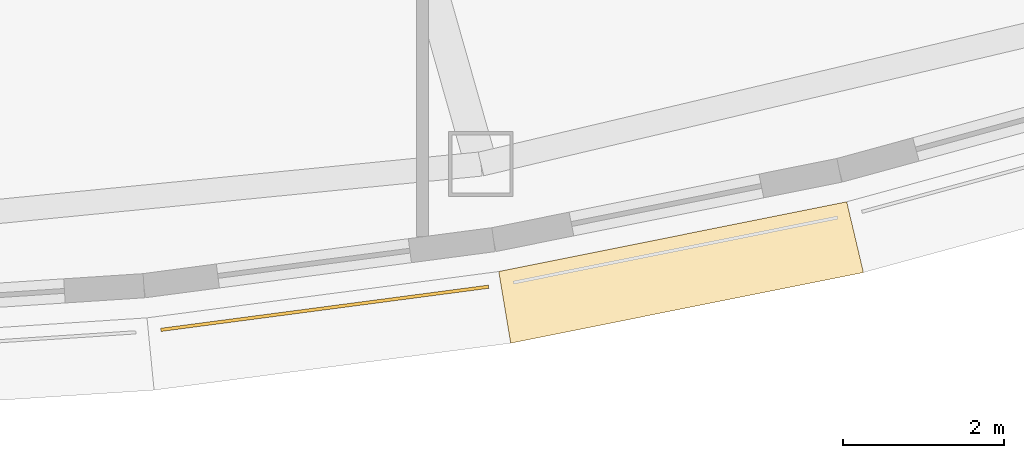
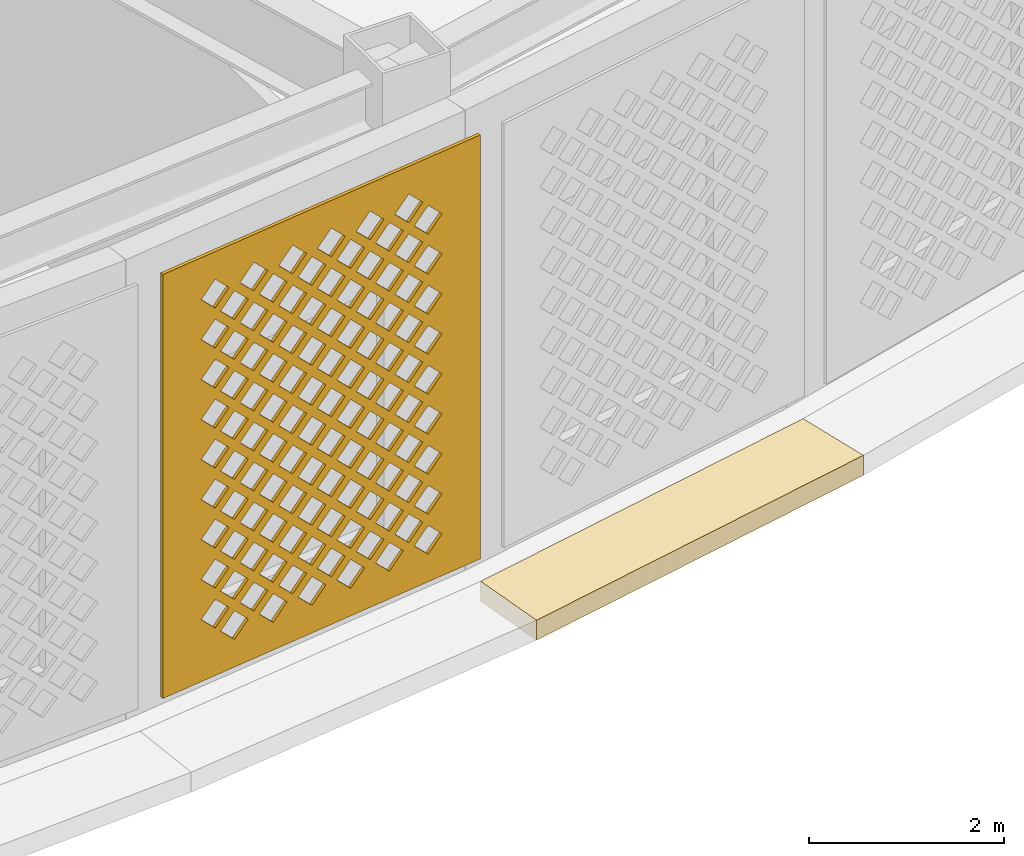
# One storey, part 60 of 74: 2 coverings.
"""IFC4 building model written with IfcOpenShell, lengths in metres."""

from ifc_helpers import new_model, si_unit, direction, frame, origin, place, context, subcontext, project, spatial, polyline, outline, extrude, material, layer, layer_set, type_object, element, save


model = new_model("IFC4")

# Units and contexts
model_context = context("Model", 3, precision=1e-05, world=origin(), true_north=direction((0.0, 1.0)))
body_context = subcontext(model_context, "Body", "Model", "MODEL_VIEW")
ifc_project = project(units=[si_unit("LENGTHUNIT", "METRE"), si_unit("AREAUNIT", "SQUARE_METRE"), si_unit("VOLUMEUNIT", "CUBIC_METRE"), si_unit("PLANEANGLEUNIT", "RADIAN"), si_unit("MASSUNIT", "GRAM", prefix="KILO")], contexts=[model_context])

# Site, building, storey
site_placement = place(None, origin())
site = spatial("IfcSite", under=ifc_project, at=site_placement, CompositionType="ELEMENT")
building_placement = place(site_placement, origin())
building = spatial("IfcBuilding", under=site, at=building_placement, Name="Noorbagh Ring Tower", CompositionType="ELEMENT")
storey_placement = place(building_placement, frame((0.0, 0.0, 13.5)))
storey = spatial("IfcBuildingStorey", under=building, at=storey_placement, Name="L02", CompositionType="ELEMENT", Elevation=13.5)

# Coverings
ifc_material_1 = material(Name="Red sandstone eave", Category="masonry")
covering_type_1 = type_object("IfcCoveringType", Name="STY-CHHAJJA", PredefinedType="USERDEFINED", material=ifc_material_1)
covering_1_placement = place(storey_placement, frame((0.0, 0.0, -0.25)))
element("IfcCovering", 1, at=covering_1_placement, inside=storey, type_object=covering_type_1, Name="Chhajja eave", ObjectType="CHHAJJA", PredefinedType="USERDEFINED", context=body_context, shape_type="SweptSolid", body=[
    extrude(outline(polyline([(10.945556640625, -39.103759765625), (15.2568359375, -38.239501953125), (15.464111328125, -39.115966796875), (11.093017578125, -39.9921875), (10.945556640625, -39.103759765625)])), origin(), (0.0, 0.0, 1.0), 0.25),
])
ifc_material_2 = material(Name="Red sandstone jali", Category="masonry")
ifc_layer = layer(ifc_material_2, 0.0400390625)
ifc_layer_set = layer_set([ifc_layer], Name="Red sandstone jali")
covering_type_2 = type_object("IfcCoveringType", Name="STY-JALI", PredefinedType="USERDEFINED", material=ifc_layer_set)
covering_2_placement = place(storey_placement, frame((6.759765625, -39.8466796875, 0.449951171875), z_axis=(0.130559329934, -0.991440498148, 0.0), x_axis=(0.991440498148, 0.130559329934, 0.0)))
element("IfcCovering", 2, at=covering_2_placement, inside=storey, type_object=covering_type_2, Name="Jali screen", ObjectType="SCREEN", PredefinedType="USERDEFINED", context=body_context, shape_type="SweptSolid", body=[
    extrude(outline(polyline([(0.0, 0.0), (4.09716796875, 0.0), (4.09716796875, 5.300048828125), (0.0, 5.300048828125), (0.0, 0.0)]), holes=[polyline([(0.743408203125, 0.52490234375), (0.923583984375, 0.344970703125), (1.103515625, 0.52490234375), (0.923583984375, 0.705078125), (0.743408203125, 0.52490234375)]), polyline([(1.243408203125, 0.52490234375), (1.423583984375, 0.344970703125), (1.603515625, 0.52490234375), (1.423583984375, 0.705078125), (1.243408203125, 0.52490234375)]), polyline([(1.743408203125, 0.52490234375), (1.923583984375, 0.344970703125), (2.103515625, 0.52490234375), (1.923583984375, 0.705078125), (1.743408203125, 0.52490234375)]), polyline([(2.243408203125, 0.52490234375), (2.423583984375, 0.344970703125), (2.603515625, 0.52490234375), (2.423583984375, 0.705078125), (2.243408203125, 0.52490234375)]), polyline([(2.743408203125, 0.52490234375), (2.923583984375, 0.344970703125), (3.103515625, 0.52490234375), (2.923583984375, 0.705078125), (2.743408203125, 0.52490234375)]), polyline([(3.243408203125, 0.52490234375), (3.423583984375, 0.344970703125), (3.603515625, 0.52490234375), (3.423583984375, 0.705078125), (3.243408203125, 0.52490234375)]), polyline([(0.493408203125, 0.77490234375), (0.673583984375, 0.594970703125), (0.853515625, 0.77490234375), (0.673583984375, 0.955078125), (0.493408203125, 0.77490234375)]), polyline([(0.993408203125, 0.77490234375), (1.173583984375, 0.594970703125), (1.353515625, 0.77490234375), (1.173583984375, 0.955078125), (0.993408203125, 0.77490234375)]), polyline([(1.493408203125, 0.77490234375), (1.673583984375, 0.594970703125), (1.853515625, 0.77490234375), (1.673583984375, 0.955078125), (1.493408203125, 0.77490234375)]), polyline([(1.993408203125, 0.77490234375), (2.173583984375, 0.594970703125), (2.353515625, 0.77490234375), (2.173583984375, 0.955078125), (1.993408203125, 0.77490234375)]), polyline([(2.493408203125, 0.77490234375), (2.673583984375, 0.594970703125), (2.853515625, 0.77490234375), (2.673583984375, 0.955078125), (2.493408203125, 0.77490234375)]), polyline([(2.993408203125, 0.77490234375), (3.173583984375, 0.594970703125), (3.353515625, 0.77490234375), (3.173583984375, 0.955078125), (2.993408203125, 0.77490234375)]), polyline([(0.743408203125, 1.02490234375), (0.923583984375, 0.844970703125), (1.103515625, 1.02490234375), (0.923583984375, 1.205078125), (0.743408203125, 1.02490234375)]), polyline([(1.243408203125, 1.02490234375), (1.423583984375, 0.844970703125), (1.603515625, 1.02490234375), (1.423583984375, 1.205078125), (1.243408203125, 1.02490234375)]), polyline([(1.743408203125, 1.02490234375), (1.923583984375, 0.844970703125), (2.103515625, 1.02490234375), (1.923583984375, 1.205078125), (1.743408203125, 1.02490234375)]), polyline([(2.243408203125, 1.02490234375), (2.423583984375, 0.844970703125), (2.603515625, 1.02490234375), (2.423583984375, 1.205078125), (2.243408203125, 1.02490234375)]), polyline([(2.743408203125, 1.02490234375), (2.923583984375, 0.844970703125), (3.103515625, 1.02490234375), (2.923583984375, 1.205078125), (2.743408203125, 1.02490234375)]), polyline([(3.243408203125, 1.02490234375), (3.423583984375, 0.844970703125), (3.603515625, 1.02490234375), (3.423583984375, 1.205078125), (3.243408203125, 1.02490234375)]), polyline([(0.493408203125, 1.27490234375), (0.673583984375, 1.094970703125), (0.853515625, 1.27490234375), (0.673583984375, 1.455078125), (0.493408203125, 1.27490234375)]), polyline([(0.993408203125, 1.27490234375), (1.173583984375, 1.094970703125), (1.353515625, 1.27490234375), (1.173583984375, 1.455078125), (0.993408203125, 1.27490234375)]), polyline([(1.493408203125, 1.27490234375), (1.673583984375, 1.094970703125), (1.853515625, 1.27490234375), (1.673583984375, 1.455078125), (1.493408203125, 1.27490234375)]), polyline([(1.993408203125, 1.27490234375), (2.173583984375, 1.094970703125), (2.353515625, 1.27490234375), (2.173583984375, 1.455078125), (1.993408203125, 1.27490234375)]), polyline([(2.493408203125, 1.27490234375), (2.673583984375, 1.094970703125), (2.853515625, 1.27490234375), (2.673583984375, 1.455078125), (2.493408203125, 1.27490234375)]), polyline([(2.993408203125, 1.27490234375), (3.173583984375, 1.094970703125), (3.353515625, 1.27490234375), (3.173583984375, 1.455078125), (2.993408203125, 1.27490234375)]), polyline([(0.743408203125, 1.52490234375), (0.923583984375, 1.344970703125), (1.103515625, 1.52490234375), (0.923583984375, 1.705078125), (0.743408203125, 1.52490234375)]), polyline([(1.243408203125, 1.52490234375), (1.423583984375, 1.344970703125), (1.603515625, 1.52490234375), (1.423583984375, 1.705078125), (1.243408203125, 1.52490234375)]), polyline([(1.743408203125, 1.52490234375), (1.923583984375, 1.344970703125), (2.103515625, 1.52490234375), (1.923583984375, 1.705078125), (1.743408203125, 1.52490234375)]), polyline([(2.243408203125, 1.52490234375), (2.423583984375, 1.344970703125), (2.603515625, 1.52490234375), (2.423583984375, 1.705078125), (2.243408203125, 1.52490234375)]), polyline([(2.743408203125, 1.52490234375), (2.923583984375, 1.344970703125), (3.103515625, 1.52490234375), (2.923583984375, 1.705078125), (2.743408203125, 1.52490234375)]), polyline([(3.243408203125, 1.52490234375), (3.423583984375, 1.344970703125), (3.603515625, 1.52490234375), (3.423583984375, 1.705078125), (3.243408203125, 1.52490234375)]), polyline([(0.493408203125, 1.77490234375), (0.673583984375, 1.594970703125), (0.853515625, 1.77490234375), (0.673583984375, 1.955078125), (0.493408203125, 1.77490234375)]), polyline([(0.993408203125, 1.77490234375), (1.173583984375, 1.594970703125), (1.353515625, 1.77490234375), (1.173583984375, 1.955078125), (0.993408203125, 1.77490234375)]), polyline([(1.493408203125, 1.77490234375), (1.673583984375, 1.594970703125), (1.853515625, 1.77490234375), (1.673583984375, 1.955078125), (1.493408203125, 1.77490234375)]), polyline([(1.993408203125, 1.77490234375), (2.173583984375, 1.594970703125), (2.353515625, 1.77490234375), (2.173583984375, 1.955078125), (1.993408203125, 1.77490234375)]), polyline([(2.493408203125, 1.77490234375), (2.673583984375, 1.594970703125), (2.853515625, 1.77490234375), (2.673583984375, 1.955078125), (2.493408203125, 1.77490234375)]), polyline([(2.993408203125, 1.77490234375), (3.173583984375, 1.594970703125), (3.353515625, 1.77490234375), (3.173583984375, 1.955078125), (2.993408203125, 1.77490234375)]), polyline([(0.743408203125, 2.02490234375), (0.923583984375, 1.844970703125), (1.103515625, 2.02490234375), (0.923583984375, 2.205078125), (0.743408203125, 2.02490234375)]), polyline([(1.243408203125, 2.02490234375), (1.423583984375, 1.844970703125), (1.603515625, 2.02490234375), (1.423583984375, 2.205078125), (1.243408203125, 2.02490234375)]), polyline([(1.743408203125, 2.02490234375), (1.923583984375, 1.844970703125), (2.103515625, 2.02490234375), (1.923583984375, 2.205078125), (1.743408203125, 2.02490234375)]), polyline([(2.243408203125, 2.02490234375), (2.423583984375, 1.844970703125), (2.603515625, 2.02490234375), (2.423583984375, 2.205078125), (2.243408203125, 2.02490234375)]), polyline([(2.743408203125, 2.02490234375), (2.923583984375, 1.844970703125), (3.103515625, 2.02490234375), (2.923583984375, 2.205078125), (2.743408203125, 2.02490234375)]), polyline([(3.243408203125, 2.02490234375), (3.423583984375, 1.844970703125), (3.603515625, 2.02490234375), (3.423583984375, 2.205078125), (3.243408203125, 2.02490234375)]), polyline([(0.493408203125, 2.27490234375), (0.673583984375, 2.094970703125), (0.853515625, 2.27490234375), (0.673583984375, 2.455078125), (0.493408203125, 2.27490234375)]), polyline([(0.993408203125, 2.27490234375), (1.173583984375, 2.094970703125), (1.353515625, 2.27490234375), (1.173583984375, 2.455078125), (0.993408203125, 2.27490234375)]), polyline([(1.493408203125, 2.27490234375), (1.673583984375, 2.094970703125), (1.853515625, 2.27490234375), (1.673583984375, 2.455078125), (1.493408203125, 2.27490234375)]), polyline([(1.993408203125, 2.27490234375), (2.173583984375, 2.094970703125), (2.353515625, 2.27490234375), (2.173583984375, 2.455078125), (1.993408203125, 2.27490234375)]), polyline([(2.493408203125, 2.27490234375), (2.673583984375, 2.094970703125), (2.853515625, 2.27490234375), (2.673583984375, 2.455078125), (2.493408203125, 2.27490234375)]), polyline([(2.993408203125, 2.27490234375), (3.173583984375, 2.094970703125), (3.353515625, 2.27490234375), (3.173583984375, 2.455078125), (2.993408203125, 2.27490234375)]), polyline([(0.743408203125, 2.52490234375), (0.923583984375, 2.344970703125), (1.103515625, 2.52490234375), (0.923583984375, 2.705078125), (0.743408203125, 2.52490234375)]), polyline([(1.243408203125, 2.52490234375), (1.423583984375, 2.344970703125), (1.603515625, 2.52490234375), (1.423583984375, 2.705078125), (1.243408203125, 2.52490234375)]), polyline([(1.743408203125, 2.52490234375), (1.923583984375, 2.344970703125), (2.103515625, 2.52490234375), (1.923583984375, 2.705078125), (1.743408203125, 2.52490234375)]), polyline([(2.243408203125, 2.52490234375), (2.423583984375, 2.344970703125), (2.603515625, 2.52490234375), (2.423583984375, 2.705078125), (2.243408203125, 2.52490234375)]), polyline([(2.743408203125, 2.52490234375), (2.923583984375, 2.344970703125), (3.103515625, 2.52490234375), (2.923583984375, 2.705078125), (2.743408203125, 2.52490234375)]), polyline([(3.243408203125, 2.52490234375), (3.423583984375, 2.344970703125), (3.603515625, 2.52490234375), (3.423583984375, 2.705078125), (3.243408203125, 2.52490234375)]), polyline([(0.493408203125, 2.77490234375), (0.673583984375, 2.594970703125), (0.853515625, 2.77490234375), (0.673583984375, 2.955078125), (0.493408203125, 2.77490234375)]), polyline([(0.993408203125, 2.77490234375), (1.173583984375, 2.594970703125), (1.353515625, 2.77490234375), (1.173583984375, 2.955078125), (0.993408203125, 2.77490234375)]), polyline([(1.493408203125, 2.77490234375), (1.673583984375, 2.594970703125), (1.853515625, 2.77490234375), (1.673583984375, 2.955078125), (1.493408203125, 2.77490234375)]), polyline([(1.993408203125, 2.77490234375), (2.173583984375, 2.594970703125), (2.353515625, 2.77490234375), (2.173583984375, 2.955078125), (1.993408203125, 2.77490234375)]), polyline([(2.493408203125, 2.77490234375), (2.673583984375, 2.594970703125), (2.853515625, 2.77490234375), (2.673583984375, 2.955078125), (2.493408203125, 2.77490234375)]), polyline([(2.993408203125, 2.77490234375), (3.173583984375, 2.594970703125), (3.353515625, 2.77490234375), (3.173583984375, 2.955078125), (2.993408203125, 2.77490234375)]), polyline([(0.743408203125, 3.02490234375), (0.923583984375, 2.844970703125), (1.103515625, 3.02490234375), (0.923583984375, 3.205078125), (0.743408203125, 3.02490234375)]), polyline([(1.243408203125, 3.02490234375), (1.423583984375, 2.844970703125), (1.603515625, 3.02490234375), (1.423583984375, 3.205078125), (1.243408203125, 3.02490234375)]), polyline([(1.743408203125, 3.02490234375), (1.923583984375, 2.844970703125), (2.103515625, 3.02490234375), (1.923583984375, 3.205078125), (1.743408203125, 3.02490234375)]), polyline([(2.243408203125, 3.02490234375), (2.423583984375, 2.844970703125), (2.603515625, 3.02490234375), (2.423583984375, 3.205078125), (2.243408203125, 3.02490234375)]), polyline([(2.743408203125, 3.02490234375), (2.923583984375, 2.844970703125), (3.103515625, 3.02490234375), (2.923583984375, 3.205078125), (2.743408203125, 3.02490234375)]), polyline([(3.243408203125, 3.02490234375), (3.423583984375, 2.844970703125), (3.603515625, 3.02490234375), (3.423583984375, 3.205078125), (3.243408203125, 3.02490234375)]), polyline([(0.493408203125, 3.27490234375), (0.673583984375, 3.094970703125), (0.853515625, 3.27490234375), (0.673583984375, 3.455078125), (0.493408203125, 3.27490234375)]), polyline([(0.993408203125, 3.27490234375), (1.173583984375, 3.094970703125), (1.353515625, 3.27490234375), (1.173583984375, 3.455078125), (0.993408203125, 3.27490234375)]), polyline([(1.493408203125, 3.27490234375), (1.673583984375, 3.094970703125), (1.853515625, 3.27490234375), (1.673583984375, 3.455078125), (1.493408203125, 3.27490234375)]), polyline([(1.993408203125, 3.27490234375), (2.173583984375, 3.094970703125), (2.353515625, 3.27490234375), (2.173583984375, 3.455078125), (1.993408203125, 3.27490234375)]), polyline([(2.493408203125, 3.27490234375), (2.673583984375, 3.094970703125), (2.853515625, 3.27490234375), (2.673583984375, 3.455078125), (2.493408203125, 3.27490234375)]), polyline([(2.993408203125, 3.27490234375), (3.173583984375, 3.094970703125), (3.353515625, 3.27490234375), (3.173583984375, 3.455078125), (2.993408203125, 3.27490234375)]), polyline([(0.743408203125, 3.52490234375), (0.923583984375, 3.344970703125), (1.103515625, 3.52490234375), (0.923583984375, 3.705078125), (0.743408203125, 3.52490234375)]), polyline([(1.243408203125, 3.52490234375), (1.423583984375, 3.344970703125), (1.603515625, 3.52490234375), (1.423583984375, 3.705078125), (1.243408203125, 3.52490234375)]), polyline([(1.743408203125, 3.52490234375), (1.923583984375, 3.344970703125), (2.103515625, 3.52490234375), (1.923583984375, 3.705078125), (1.743408203125, 3.52490234375)]), polyline([(2.243408203125, 3.52490234375), (2.423583984375, 3.344970703125), (2.603515625, 3.52490234375), (2.423583984375, 3.705078125), (2.243408203125, 3.52490234375)]), polyline([(2.743408203125, 3.52490234375), (2.923583984375, 3.344970703125), (3.103515625, 3.52490234375), (2.923583984375, 3.705078125), (2.743408203125, 3.52490234375)]), polyline([(3.243408203125, 3.52490234375), (3.423583984375, 3.344970703125), (3.603515625, 3.52490234375), (3.423583984375, 3.705078125), (3.243408203125, 3.52490234375)]), polyline([(0.493408203125, 3.77490234375), (0.673583984375, 3.594970703125), (0.853515625, 3.77490234375), (0.673583984375, 3.955078125), (0.493408203125, 3.77490234375)]), polyline([(0.993408203125, 3.77490234375), (1.173583984375, 3.594970703125), (1.353515625, 3.77490234375), (1.173583984375, 3.955078125), (0.993408203125, 3.77490234375)]), polyline([(1.493408203125, 3.77490234375), (1.673583984375, 3.594970703125), (1.853515625, 3.77490234375), (1.673583984375, 3.955078125), (1.493408203125, 3.77490234375)]), polyline([(1.993408203125, 3.77490234375), (2.173583984375, 3.594970703125), (2.353515625, 3.77490234375), (2.173583984375, 3.955078125), (1.993408203125, 3.77490234375)]), polyline([(2.493408203125, 3.77490234375), (2.673583984375, 3.594970703125), (2.853515625, 3.77490234375), (2.673583984375, 3.955078125), (2.493408203125, 3.77490234375)]), polyline([(2.993408203125, 3.77490234375), (3.173583984375, 3.594970703125), (3.353515625, 3.77490234375), (3.173583984375, 3.955078125), (2.993408203125, 3.77490234375)]), polyline([(0.743408203125, 4.02490234375), (0.923583984375, 3.844970703125), (1.103515625, 4.02490234375), (0.923583984375, 4.205078125), (0.743408203125, 4.02490234375)]), polyline([(1.243408203125, 4.02490234375), (1.423583984375, 3.844970703125), (1.603515625, 4.02490234375), (1.423583984375, 4.205078125), (1.243408203125, 4.02490234375)]), polyline([(1.743408203125, 4.02490234375), (1.923583984375, 3.844970703125), (2.103515625, 4.02490234375), (1.923583984375, 4.205078125), (1.743408203125, 4.02490234375)]), polyline([(2.243408203125, 4.02490234375), (2.423583984375, 3.844970703125), (2.603515625, 4.02490234375), (2.423583984375, 4.205078125), (2.243408203125, 4.02490234375)]), polyline([(2.743408203125, 4.02490234375), (2.923583984375, 3.844970703125), (3.103515625, 4.02490234375), (2.923583984375, 4.205078125), (2.743408203125, 4.02490234375)]), polyline([(3.243408203125, 4.02490234375), (3.423583984375, 3.844970703125), (3.603515625, 4.02490234375), (3.423583984375, 4.205078125), (3.243408203125, 4.02490234375)]), polyline([(0.493408203125, 4.27490234375), (0.673583984375, 4.094970703125), (0.853515625, 4.27490234375), (0.673583984375, 4.455078125), (0.493408203125, 4.27490234375)]), polyline([(0.993408203125, 4.27490234375), (1.173583984375, 4.094970703125), (1.353515625, 4.27490234375), (1.173583984375, 4.455078125), (0.993408203125, 4.27490234375)]), polyline([(1.493408203125, 4.27490234375), (1.673583984375, 4.094970703125), (1.853515625, 4.27490234375), (1.673583984375, 4.455078125), (1.493408203125, 4.27490234375)]), polyline([(1.993408203125, 4.27490234375), (2.173583984375, 4.094970703125), (2.353515625, 4.27490234375), (2.173583984375, 4.455078125), (1.993408203125, 4.27490234375)]), polyline([(2.493408203125, 4.27490234375), (2.673583984375, 4.094970703125), (2.853515625, 4.27490234375), (2.673583984375, 4.455078125), (2.493408203125, 4.27490234375)]), polyline([(2.993408203125, 4.27490234375), (3.173583984375, 4.094970703125), (3.353515625, 4.27490234375), (3.173583984375, 4.455078125), (2.993408203125, 4.27490234375)]), polyline([(0.743408203125, 4.52490234375), (0.923583984375, 4.344970703125), (1.103515625, 4.52490234375), (0.923583984375, 4.705078125), (0.743408203125, 4.52490234375)]), polyline([(1.243408203125, 4.52490234375), (1.423583984375, 4.344970703125), (1.603515625, 4.52490234375), (1.423583984375, 4.705078125), (1.243408203125, 4.52490234375)]), polyline([(1.743408203125, 4.52490234375), (1.923583984375, 4.344970703125), (2.103515625, 4.52490234375), (1.923583984375, 4.705078125), (1.743408203125, 4.52490234375)]), polyline([(2.243408203125, 4.52490234375), (2.423583984375, 4.344970703125), (2.603515625, 4.52490234375), (2.423583984375, 4.705078125), (2.243408203125, 4.52490234375)]), polyline([(2.743408203125, 4.52490234375), (2.923583984375, 4.344970703125), (3.103515625, 4.52490234375), (2.923583984375, 4.705078125), (2.743408203125, 4.52490234375)]), polyline([(3.243408203125, 4.52490234375), (3.423583984375, 4.344970703125), (3.603515625, 4.52490234375), (3.423583984375, 4.705078125), (3.243408203125, 4.52490234375)]), polyline([(0.493408203125, 4.77490234375), (0.673583984375, 4.594970703125), (0.853515625, 4.77490234375), (0.673583984375, 4.955078125), (0.493408203125, 4.77490234375)]), polyline([(0.993408203125, 4.77490234375), (1.173583984375, 4.594970703125), (1.353515625, 4.77490234375), (1.173583984375, 4.955078125), (0.993408203125, 4.77490234375)]), polyline([(1.493408203125, 4.77490234375), (1.673583984375, 4.594970703125), (1.853515625, 4.77490234375), (1.673583984375, 4.955078125), (1.493408203125, 4.77490234375)]), polyline([(1.993408203125, 4.77490234375), (2.173583984375, 4.594970703125), (2.353515625, 4.77490234375), (2.173583984375, 4.955078125), (1.993408203125, 4.77490234375)]), polyline([(2.493408203125, 4.77490234375), (2.673583984375, 4.594970703125), (2.853515625, 4.77490234375), (2.673583984375, 4.955078125), (2.493408203125, 4.77490234375)]), polyline([(2.993408203125, 4.77490234375), (3.173583984375, 4.594970703125), (3.353515625, 4.77490234375), (3.173583984375, 4.955078125), (2.993408203125, 4.77490234375)])]), origin(), (0.0, 0.0, -1.0), 0.0400390625),
])

save(model, "model.ifc")
